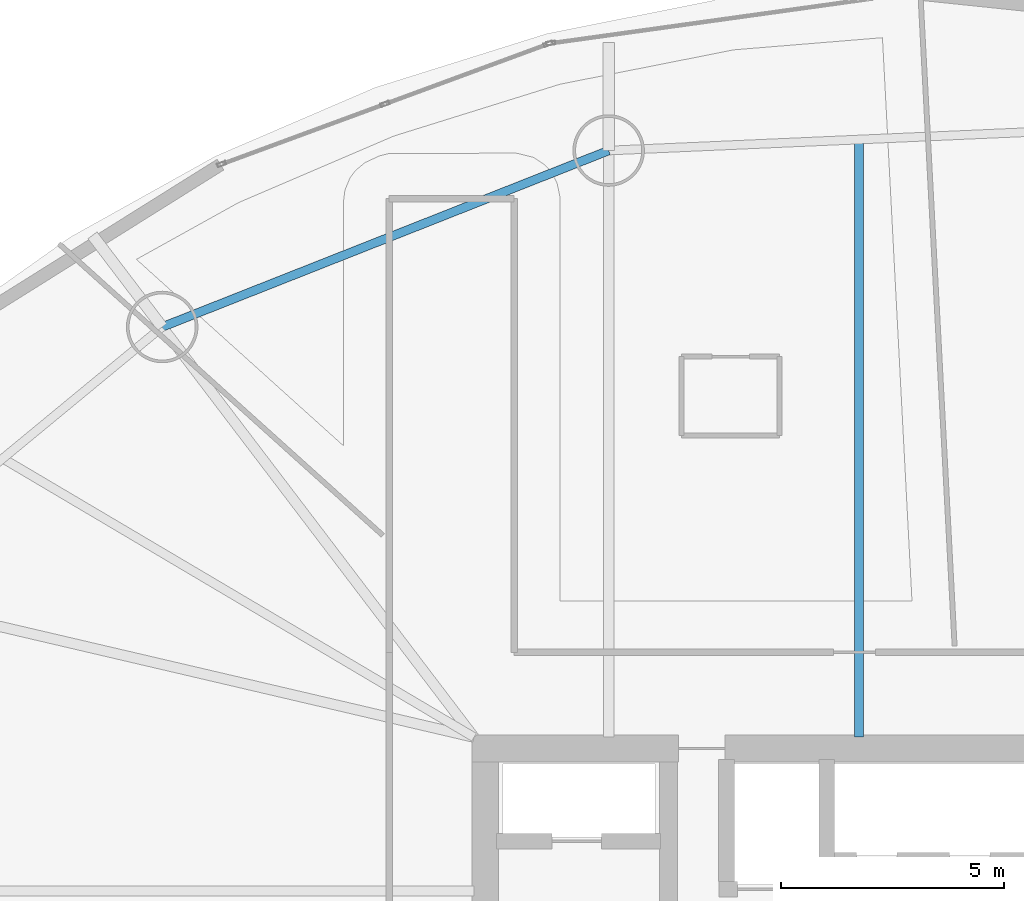
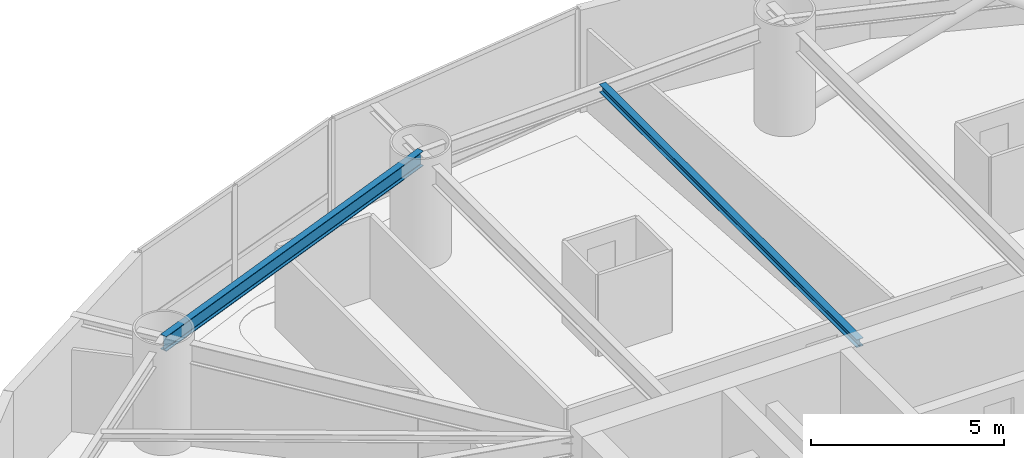
# One storey, part 18 of 30: 2 beams.
"""IFC4 building model written with IfcOpenShell, lengths in metres."""

from ifc_helpers import new_model, si_unit, direction, frame, origin, origin_2d, place, context, subcontext, project, spatial, i_section, extrude, material, material_profile, profile_set, type_object, element, save


model = new_model("IFC4")

# Units and contexts
model_context = context("Model", 3, precision=1e-05, world=origin(), true_north=direction((0.0, 1.0)))
body_context = subcontext(model_context, "Body", "Model", "MODEL_VIEW")
ifc_project = project(units=[si_unit("LENGTHUNIT", "METRE"), si_unit("AREAUNIT", "SQUARE_METRE"), si_unit("VOLUMEUNIT", "CUBIC_METRE"), si_unit("PLANEANGLEUNIT", "RADIAN"), si_unit("MASSUNIT", "GRAM", prefix="KILO")], contexts=[model_context])

# Site, building, storey
site_placement = place(None, origin())
site = spatial("IfcSite", under=ifc_project, at=site_placement, CompositionType="ELEMENT")
building_placement = place(site_placement, origin())
building = spatial("IfcBuilding", under=site, at=building_placement, Name="Bramvorn Convention Spire", CompositionType="ELEMENT")
storey_placement = place(building_placement, frame((0.0, 0.0, 86.89990234375)))
storey = spatial("IfcBuildingStorey", under=building, at=storey_placement, Name="L20", CompositionType="ELEMENT", Elevation=86.89990234375)

# Beams
ifc_material = material(Name="Steel CSA G40.21 Grade 350 (350W)", Category="steel")
ifc_material_profile_1 = material_profile(ifc_material, i_section(OverallWidth=0.201904296875, OverallDepth=0.2470703125, WebThickness=0.00732421875, FlangeThickness=0.010986328125, FilletRadius=0.011962890625, at=origin_2d()))
ifc_profile_set_1 = profile_set([ifc_material_profile_1], Name="Steel CSA G40.21 Grade 350 (350W) - W250X49")
beam_type_1 = type_object("IfcBeamType", Name="BM-W250X49", PredefinedType="JOIST", material=ifc_profile_set_1)
beam_1_placement = place(storey_placement, frame((35.361572265625, 33.449951171875, 3.126708984375), z_axis=(0.0, 1.0, 0.0), x_axis=(-1.0, 0.0, 0.0)))
element("IfcBeam", 1, at=beam_1_placement, inside=storey, type_object=beam_type_1, Name="L20 composite floor joist 05", PredefinedType="JOIST", context=body_context, shape_type="SweptSolid", body=[
    extrude(i_section(OverallWidth=0.201904296875, OverallDepth=0.2470703125, WebThickness=0.00732421875, FlangeThickness=0.010986328125, FilletRadius=0.011962890625, at=origin_2d()), origin(), (0.0, 0.0, 1.0), 13.372802734375),
])
ifc_material_profile_2 = material_profile(ifc_material, i_section(OverallWidth=0.194091796875, OverallDepth=0.468994140625, WebThickness=0.0126953125, FlangeThickness=0.0205078125, FilletRadius=0.01806640625, at=origin_2d()))
ifc_profile_set_2 = profile_set([ifc_material_profile_2], Name="Steel CSA G40.21 Grade 350 (350W) - W460X106")
beam_type_2 = type_object("IfcBeamType", Name="BM-W460X106", PredefinedType="SPANDREL", material=ifc_profile_set_2)
beam_2_placement = place(storey_placement, frame((29.76220703125, 46.57666015625, 3.015625), z_axis=(-0.93000950609, -0.367535465749, 0.0), x_axis=(0.367535465749, -0.93000950609, 0.0)))
element("IfcBeam", 2, at=beam_2_placement, inside=storey, type_object=beam_type_2, Name="L20 mega-column ring beam 06", PredefinedType="SPANDREL", context=body_context, shape_type="SweptSolid", body=[
    extrude(i_section(OverallWidth=0.194091796875, OverallDepth=0.468994140625, WebThickness=0.0126953125, FlangeThickness=0.0205078125, FilletRadius=0.01806640625, at=origin_2d()), origin(), (0.0, 0.0, 1.0), 10.74169921875),
])

save(model, "model.ifc")
